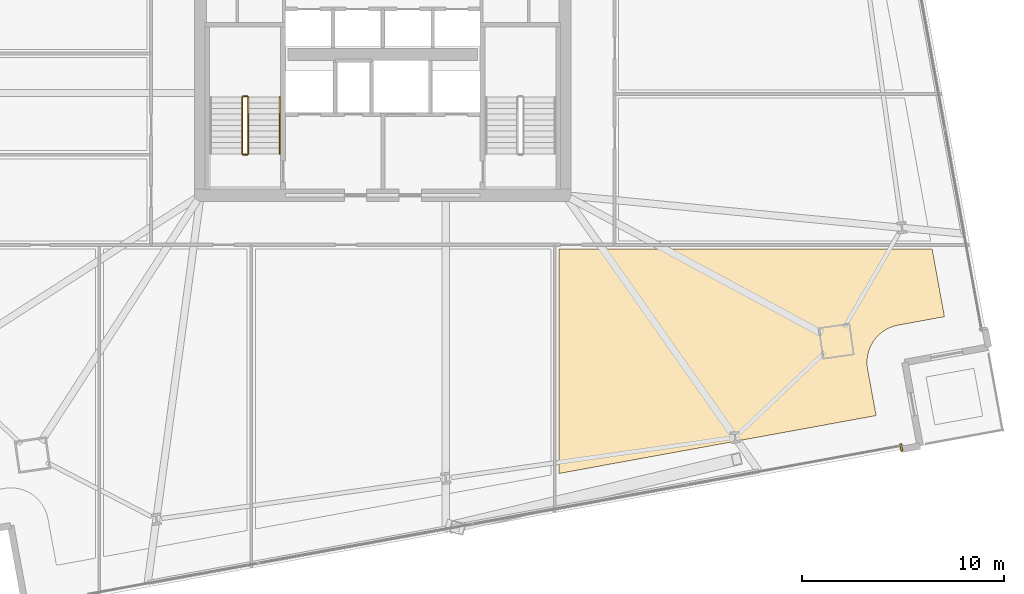
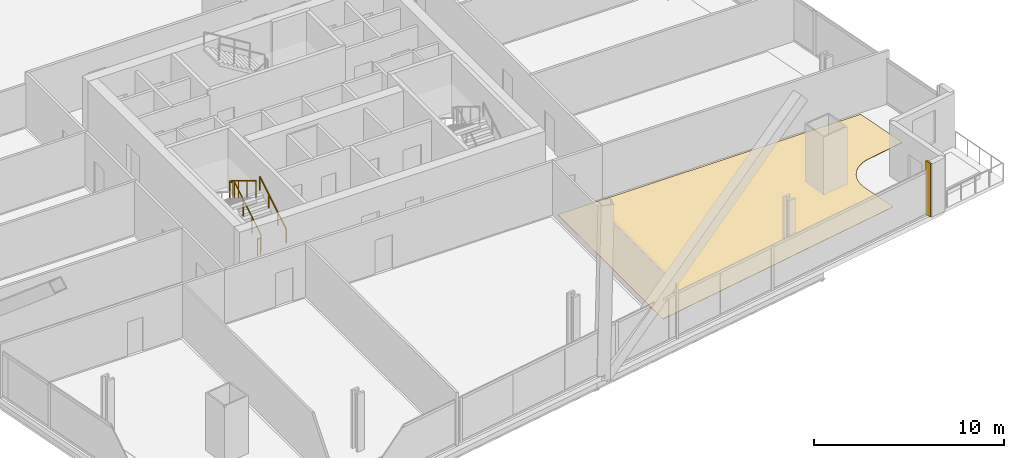
# One storey, part 31 of 34: 5 railings, 2 coverings.
"""IFC4 building model written with IfcOpenShell, lengths in metres."""

from ifc_helpers import new_model, si_unit, direction, frame, origin, origin_2d, place, context, subcontext, project, spatial, polyline, rectangle, outline, extrude, source, transform, mapped, material, layer, layer_set, type_object, element, save


model = new_model("IFC4")

# Units and contexts
model_context = context("Model", 3, precision=1e-05, world=origin(), true_north=direction((0.0, 1.0)))
body_context = subcontext(model_context, "Body", "Model", "MODEL_VIEW")
ifc_project = project(units=[si_unit("LENGTHUNIT", "METRE"), si_unit("AREAUNIT", "SQUARE_METRE"), si_unit("VOLUMEUNIT", "CUBIC_METRE"), si_unit("PLANEANGLEUNIT", "RADIAN"), si_unit("MASSUNIT", "GRAM", prefix="KILO")], contexts=[model_context])

# Site, building, storey
site_placement = place(None, origin())
site = spatial("IfcSite", under=ifc_project, at=site_placement, CompositionType="ELEMENT")
building_placement = place(site_placement, origin())
building = spatial("IfcBuilding", under=site, at=building_placement, Name="Haldenkirk Collegiate Tower", CompositionType="ELEMENT")
storey_placement = place(building_placement, frame((0.0, 0.0, 62.699951171875)))
storey = spatial("IfcBuildingStorey", under=building, at=storey_placement, Name="L14", CompositionType="ELEMENT", Elevation=62.699951171875)

# Covering
ifc_material_1 = material(Name="Polished collegiate terrazzo", Category="concrete")
ifc_layer_1 = layer(ifc_material_1, 0.02490234375)
ifc_layer_set_1 = layer_set([ifc_layer_1], Name="Polished collegiate terrazzo")
covering_type_1 = type_object("IfcCoveringType", Name="COV-FLOOR-TERRAZZO", PredefinedType="FLOORING", material=ifc_layer_set_1)
covering_1_placement = place(storey_placement, origin())
element("IfcCovering", 1, at=covering_1_placement, inside=storey, type_object=covering_type_1, Name="L14 academic room finish 04", PredefinedType="FLOORING", context=body_context, shape_type="SweptSolid", body=[
    extrude(outline(polyline([(63.746337890625, 12.002197265625), (61.4541015625, 11.58349609375), (61.448486328125, 11.582275390625), (61.28125, 11.543212890625), (61.27001953125, 11.5400390625), (61.107421875, 11.484619140625), (61.096435546875, 11.48046875), (60.93994140625, 11.409423828125), (60.9296875, 11.404052734375), (60.781005859375, 11.318115234375), (60.77099609375, 11.311767578125), (60.63134765625, 11.21142578125), (60.622314453125, 11.2041015625), (60.4931640625, 11.0908203125), (60.484619140625, 11.082763671875), (60.367431640625, 10.957275390625), (60.359619140625, 10.9482421875), (60.25537109375, 10.81201171875), (60.248779296875, 10.80224609375), (60.158203125, 10.656494140625), (60.15234375, 10.64599609375), (60.076416015625, 10.491943359375), (60.07177734375, 10.481201171875), (60.011474609375, 10.3203125), (60.0078125, 10.30908203125), (59.96337890625, 10.143310546875), (59.9609375, 10.1318359375), (59.93310546875, 9.96240234375), (59.931884765625, 9.95068359375), (59.920654296875, 9.779296875), (59.92041015625, 9.767578125), (59.92626953125, 9.595703125), (59.927001953125, 9.583984375), (59.94970703125, 9.413818359375), (59.95068359375, 9.407958984375), (60.369384765625, 7.115966796875), (44.699951171875, 4.254150390625), (44.699951171875, 15.35009765625), (63.135009765625, 15.35009765625), (63.746337890625, 12.002197265625)])), origin(), (0.0, 0.0, 1.0), 0.025146484375),
])

# Railings
ifc_material_2 = material(Name="Painted architectural tubular steel", Category="steel")
railing_type_1 = type_object("IfcRailingType", Name="RLG-STAIR-GUARD-1100", PredefinedType="BALUSTRADE", material=ifc_material_2)
railing_1_placement = place(storey_placement, frame((29.35009765625, 20.050048828125, 0.17041015625)))
element("IfcRailing", 2, at=railing_1_placement, inside=storey, type_object=railing_type_1, Name="L14 ST-1 stair guard 1", PredefinedType="BALUSTRADE", context=body_context, shape_type="SweptSolid", body=[
    extrude(rectangle(XDim=0.048095703125, YDim=0.048095703125, at=origin_2d()), frame((0.0, 0.0, 1.076171875), z_axis=(0.0, 0.854169791009, 0.51999420009), x_axis=(-1.0, 0.0, 0.0)), (0.0, 0.0, 1.0), 3.278076171875),
    extrude(rectangle(XDim=0.0419921875, YDim=0.0419921875, at=origin_2d()), origin(), (0.0, 0.0, 1.0), 1.052001953125),
    extrude(rectangle(XDim=0.0419921875, YDim=0.0419921875, at=origin_2d()), frame((0.0, 0.933349609375, 0.568115234375)), (0.0, 0.0, 1.0), 1.052001953125),
    extrude(rectangle(XDim=0.0419921875, YDim=0.0419921875, at=origin_2d()), frame((0.0, 1.86669921875, 1.136474609375)), (0.0, 0.0, 1.0), 1.052001953125),
    extrude(rectangle(XDim=0.0419921875, YDim=0.0419921875, at=origin_2d()), frame((0.0, 2.800048828125, 1.70458984375)), (0.0, 0.0, 1.0), 1.052001953125),
])
railing_2_placement = place(storey_placement, frame((29.300048828125, 22.89990234375, 1.875)))
element("IfcRailing", 3, at=railing_2_placement, inside=storey, type_object=railing_type_1, Name="L14 ST-1 stair guard 2", PredefinedType="BALUSTRADE", context=body_context, shape_type="SweptSolid", body=[
    extrude(rectangle(XDim=0.048095703125, YDim=0.048095703125, at=origin_2d()), frame((0.0, 0.0, 1.076171875), z_axis=(-1.0, 0.0, 0.0), x_axis=(0.0, -1.0, 0.0)), (0.0, 0.0, 1.0), 0.199951171875),
    extrude(rectangle(XDim=0.0419921875, YDim=0.0419921875, at=origin_2d()), origin(), (0.0, 0.0, 1.0), 1.052001953125),
    extrude(rectangle(XDim=0.0419921875, YDim=0.0419921875, at=origin_2d()), frame((-0.199951171875, 0.0, 0.0)), (0.0, 0.0, 1.0), 1.052001953125),
])
railing_3_placement = place(storey_placement, frame((29.050048828125, 22.85009765625, 2.04541015625)))
element("IfcRailing", 4, at=railing_3_placement, inside=storey, type_object=railing_type_1, Name="L14 ST-1 stair guard 3", PredefinedType="BALUSTRADE", context=body_context, shape_type="SweptSolid", body=[
    extrude(rectangle(XDim=0.048095703125, YDim=0.048095703125, at=origin_2d()), frame((0.0, 0.0, 1.076171875), z_axis=(0.0, -0.854169791009, 0.51999420009), x_axis=(1.0, 0.0, 0.0)), (0.0, 0.0, 1.0), 3.278076171875),
    extrude(rectangle(XDim=0.0419921875, YDim=0.0419921875, at=origin_2d()), origin(), (0.0, 0.0, 1.0), 1.052001953125),
    extrude(rectangle(XDim=0.0419921875, YDim=0.0419921875, at=origin_2d()), frame((0.0, -0.933349609375, 0.568115234375)), (0.0, 0.0, 1.0), 1.052001953125),
    extrude(rectangle(XDim=0.0419921875, YDim=0.0419921875, at=origin_2d()), frame((0.0, -1.86669921875, 1.136474609375)), (0.0, 0.0, 1.0), 1.052001953125),
    extrude(rectangle(XDim=0.0419921875, YDim=0.0419921875, at=origin_2d()), frame((0.0, -2.800048828125, 1.70458984375)), (0.0, 0.0, 1.0), 1.052001953125),
])
railing_4_placement = place(storey_placement, frame((29.300048828125, 20.0, 0.0)))
element("IfcRailing", 5, at=railing_4_placement, inside=storey, type_object=railing_type_1, Name="L14 ST-1 stair guard 4", PredefinedType="BALUSTRADE", context=body_context, shape_type="SweptSolid", body=[
    extrude(rectangle(XDim=0.048095703125, YDim=0.048095703125, at=origin_2d()), frame((0.0, 0.0, 1.076171875), z_axis=(-1.0, 0.0, 0.0), x_axis=(0.0, -1.0, 0.0)), (0.0, 0.0, 1.0), 0.199951171875),
    extrude(rectangle(XDim=0.0419921875, YDim=0.0419921875, at=origin_2d()), origin(), (0.0, 0.0, 1.0), 1.052001953125),
    extrude(rectangle(XDim=0.0419921875, YDim=0.0419921875, at=origin_2d()), frame((-0.199951171875, 0.0, 0.0)), (0.0, 0.0, 1.0), 1.052001953125),
])
railing_type_2 = type_object("IfcRailingType", Name="RLG-STAIR-HANDRAIL-900", PredefinedType="HANDRAIL", material=ifc_material_2)
railing_5_placement = place(storey_placement, frame((30.89990234375, 20.050048828125, 0.17041015625)))
element("IfcRailing", 6, at=railing_5_placement, inside=storey, type_object=railing_type_2, Name="L14 ST-1 stair handrail 1", PredefinedType="HANDRAIL", context=body_context, shape_type="SweptSolid", body=[
    extrude(rectangle(XDim=0.048095703125, YDim=0.048095703125, at=origin_2d()), frame((0.0, 0.0, 0.8759765625), z_axis=(0.0, 0.854169791009, 0.51999420009), x_axis=(-1.0, 0.0, 0.0)), (0.0, 0.0, 1.0), 3.278076171875),
    extrude(rectangle(XDim=0.0419921875, YDim=0.0419921875, at=origin_2d()), origin(), (0.0, 0.0, 1.0), 0.851806640625),
    extrude(rectangle(XDim=0.0419921875, YDim=0.0419921875, at=origin_2d()), frame((0.0, 0.933349609375, 0.568115234375)), (0.0, 0.0, 1.0), 0.851806640625),
    extrude(rectangle(XDim=0.0419921875, YDim=0.0419921875, at=origin_2d()), frame((0.0, 1.86669921875, 1.136474609375)), (0.0, 0.0, 1.0), 0.851806640625),
    extrude(rectangle(XDim=0.0419921875, YDim=0.0419921875, at=origin_2d()), frame((0.0, 2.800048828125, 1.70458984375)), (0.0, 0.0, 1.0), 0.851806640625),
])

# Covering
ifc_material_3 = material(Name="Anodised architectural bronze aluminium", Category="aluminium")
ifc_layer_2 = layer(ifc_material_3, 0.06005859375)
ifc_layer_set_2 = layer_set([ifc_layer_2], Name="Anodised architectural bronze aluminium")
covering_type_2 = type_object("IfcCoveringType", Name="COV-CLAD-BRONZE-60", PredefinedType="CLADDING", material=ifc_layer_set_2)
shared_shape = source(origin(), body_context, "Body", "SweptSolid", [
    extrude(rectangle(XDim=0.10009765625, YDim=0.3798828125, at=origin_2d()), origin(), (0.0, 0.0, 1.0), 3.43994140625),
])
covering_2_placement = place(storey_placement, frame((61.61376953125, 5.53369140625, 0.0), z_axis=(0.0, 0.0, 1.0), x_axis=(-0.98372862895, -0.179660748593, 0.0)))
element("IfcCovering", 7, at=covering_2_placement, inside=storey, type_object=covering_type_2, Name="L14 recessed curtain-wall bronze jamb closure SJL", PredefinedType="CLADDING", context=body_context, shape_type="MappedRepresentation", body=[
    mapped(shared_shape, transform((0.0, 0.0, 0.0), x_axis=(1.0, 0.0, 0.0), y_axis=(0.0, 1.0, 0.0), z_axis=(0.0, 0.0, 1.0), scale=1.0)),
])

save(model, "model.ifc")
